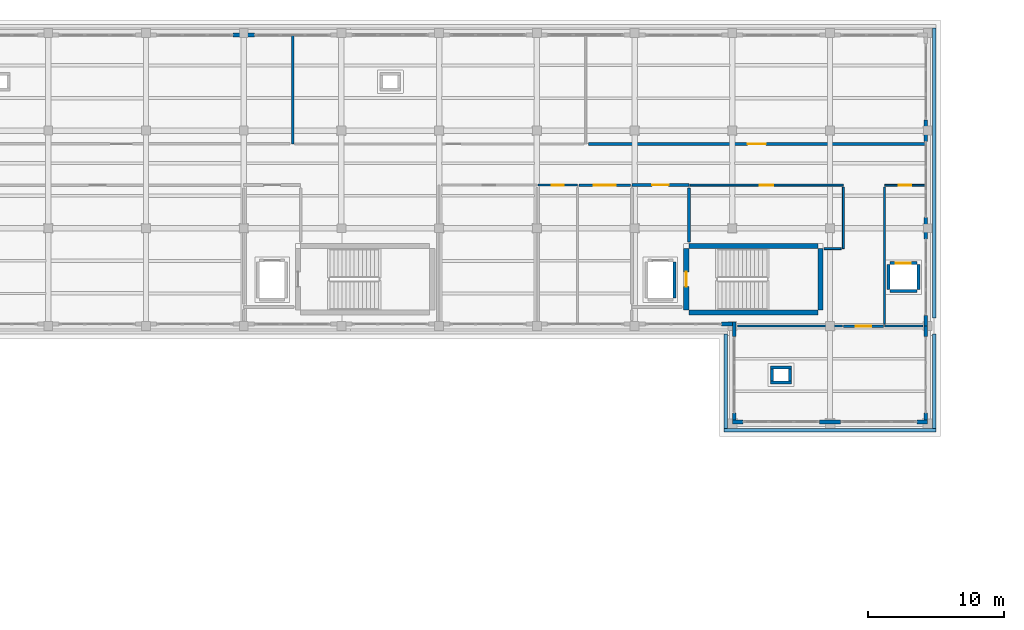
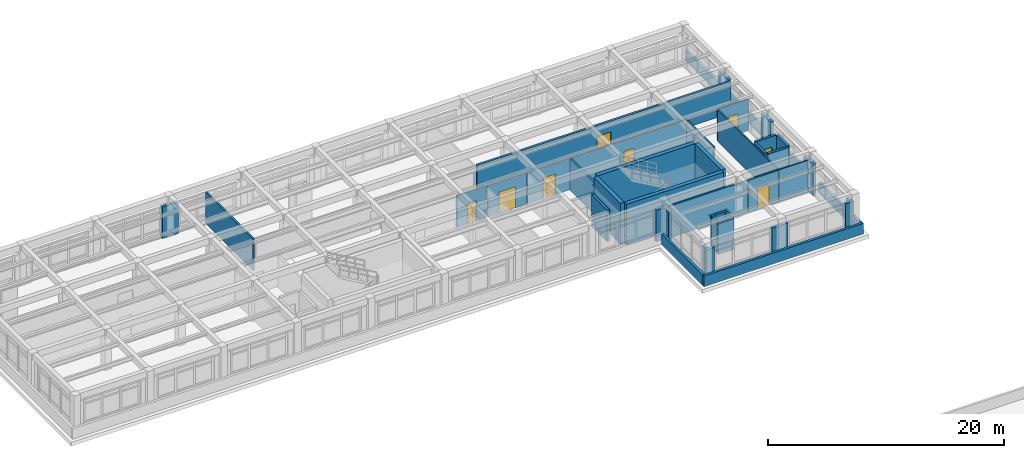
# One storey, part 48 of 55: 43 walls, 9 doors, 9 openings.
"""IFC4 building model written with IfcOpenShell, lengths in metres."""

from ifc_helpers import new_model, si_unit, direction, frame, frame_2d, origin, place, context, subcontext, project, spatial, rectangle, extrude, material, layer, layer_set, type_object, element, fill, save


model = new_model("IFC4")

# Units and contexts
model_context = context("Model", 3, precision=1e-05, world=origin(), true_north=direction((0.0, 1.0)))
body_context = subcontext(model_context, "Body", "Model", "MODEL_VIEW")
ifc_project = project(units=[si_unit("LENGTHUNIT", "METRE"), si_unit("AREAUNIT", "SQUARE_METRE"), si_unit("VOLUMEUNIT", "CUBIC_METRE"), si_unit("PLANEANGLEUNIT", "RADIAN"), si_unit("MASSUNIT", "GRAM", prefix="KILO")], contexts=[model_context])

# Site, building, storey
site_placement = place(None, origin())
site = spatial("IfcSite", under=ifc_project, at=site_placement, CompositionType="ELEMENT")
building_placement = place(site_placement, origin())
building = spatial("IfcBuilding", under=site, at=building_placement, Name="Solenvale Faculty of Natural Sciences", CompositionType="ELEMENT")
storey_placement = place(building_placement, frame((0.0, 0.0, 22.5)))
storey = spatial("IfcBuildingStorey", under=building, at=storey_placement, Name="L05", CompositionType="ELEMENT", Elevation=22.5)

# Walls
ifc_material_1 = material(Name="Precast concrete 40 MPa", Category="concrete")
ifc_layer_1 = layer(ifc_material_1, 0.284912109375)
ifc_layer_set_1 = layer_set([ifc_layer_1], Name="Precast concrete 40 MPa")
wall_type_1 = type_object("IfcWallType", Name="WL-EXT-PRC-285", PredefinedType="STANDARD", material=ifc_layer_set_1)
wall_1_placement = place(storey_placement, frame((151.0576171875, 86.68505859375, 0.0), z_axis=(0.0, 0.0, 1.0), x_axis=(0.0, 1.0, 0.0)))
element("IfcWall", 1, at=wall_1_placement, inside=storey, type_object=wall_type_1, Name="L05 Facade Closure Pier 1.B1-L", PredefinedType="STANDARD", context=body_context, shape_type="SweptSolid", body=[
    extrude(rectangle(XDim=0.5029296875, YDim=0.284912109375, at=frame_2d((0.25146484375, 0.0))), origin(), (0.0, 0.0, 1.0), 3.260009765625),
])
wall_2_placement = place(storey_placement, frame((151.0576171875, 92.81201171875, 0.0), z_axis=(0.0, 0.0, 1.0), x_axis=(0.0, 1.0, 0.0)))
element("IfcWall", 2, at=wall_2_placement, inside=storey, type_object=wall_type_1, Name="L05 Facade Closure Pier 1.B1-R", PredefinedType="STANDARD", context=body_context, shape_type="SweptSolid", body=[
    extrude(rectangle(XDim=0.7880859375, YDim=0.284912109375, at=frame_2d((0.39404296875, 0.0))), origin(), (0.0, 0.0, 1.0), 3.260009765625),
])
wall_3_placement = place(storey_placement, frame((151.0576171875, 93.60009765625, 0.0), z_axis=(0.0, 0.0, 1.0), x_axis=(0.0, 1.0, 0.0)))
element("IfcWall", 3, at=wall_3_placement, inside=storey, type_object=wall_type_1, Name="L05 Facade Closure Pier 2.B1-L", PredefinedType="STANDARD", context=body_context, shape_type="SweptSolid", body=[
    extrude(rectangle(XDim=0.787841796875, YDim=0.284912109375, at=frame_2d((0.39404296875, 0.0))), origin(), (0.0, 0.0, 1.0), 3.260009765625),
])
wall_4_placement = place(storey_placement, frame((151.0576171875, 100.011962890625, 0.0), z_axis=(0.0, 0.0, 1.0), x_axis=(0.0, 1.0, 0.0)))
element("IfcWall", 4, at=wall_4_placement, inside=storey, type_object=wall_type_1, Name="L05 Facade Closure Pier 2.B1-R", PredefinedType="STANDARD", context=body_context, shape_type="SweptSolid", body=[
    extrude(rectangle(XDim=1.575927734375, YDim=0.284912109375, at=frame_2d((0.7880859375, 0.0))), origin(), (0.0, 0.0, 1.0), 3.260009765625),
])
wall_5_placement = place(storey_placement, frame((151.0576171875, 107.2119140625, 0.0), z_axis=(0.0, 0.0, 1.0), x_axis=(0.0, 1.0, 0.0)))
element("IfcWall", 5, at=wall_5_placement, inside=storey, type_object=wall_type_1, Name="L05 Facade Closure Pier 2.B2-R", PredefinedType="STANDARD", context=body_context, shape_type="SweptSolid", body=[
    extrude(rectangle(XDim=1.576171875, YDim=0.284912109375, at=frame_2d((0.7880859375, 0.0))), origin(), (0.0, 0.0, 1.0), 3.260009765625),
])
wall_6_placement = place(storey_placement, frame((101.587890625, 115.0576171875, 0.0), z_axis=(0.0, 0.0, 1.0), x_axis=(-1.0, 0.0, 0.0)))
element("IfcWall", 6, at=wall_6_placement, inside=storey, type_object=wall_type_1, Name="L05 Facade Closure Pier 3.B7-R", PredefinedType="STANDARD", context=body_context, shape_type="SweptSolid", body=[
    extrude(rectangle(XDim=1.575927734375, YDim=0.284912109375, at=frame_2d((0.7880859375, 0.0))), origin(), (0.0, 0.0, 1.0), 3.260009765625),
])
wall_7_placement = place(storey_placement, frame((136.011962890625, 93.742431640625, 0.0), z_axis=(0.0, 0.0, 1.0), x_axis=(1.0, 0.0, 0.0)))
element("IfcWall", 7, at=wall_7_placement, inside=storey, type_object=wall_type_1, Name="L05 Facade Closure Pier 5.B8-R", PredefinedType="STANDARD", context=body_context, shape_type="SweptSolid", body=[
    extrude(rectangle(XDim=0.7880859375, YDim=0.284912109375, at=frame_2d((0.39404296875, 0.0))), origin(), (0.0, 0.0, 1.0), 3.260009765625),
])
wall_8_placement = place(storey_placement, frame((136.9423828125, 93.885009765625, 0.0), z_axis=(0.0, 0.0, 1.0), x_axis=(0.0, -1.0, 0.0)))
element("IfcWall", 8, at=wall_8_placement, inside=storey, type_object=wall_type_1, Name="L05 Facade Closure Pier 6.B1-L", PredefinedType="STANDARD", context=body_context, shape_type="SweptSolid", body=[
    extrude(rectangle(XDim=1.072998046875, YDim=0.284912109375, at=frame_2d((0.53662109375, 0.0))), origin(), (0.0, 0.0, 1.0), 3.260009765625),
])
wall_9_placement = place(storey_placement, frame((136.9423828125, 87.18798828125, 0.0), z_axis=(0.0, 0.0, 1.0), x_axis=(0.0, -1.0, 0.0)))
element("IfcWall", 9, at=wall_9_placement, inside=storey, type_object=wall_type_1, Name="L05 Facade Closure Pier 6.B1-R", PredefinedType="STANDARD", context=body_context, shape_type="SweptSolid", body=[
    extrude(rectangle(XDim=0.5029296875, YDim=0.284912109375, at=frame_2d((0.25146484375, 0.0))), origin(), (0.0, 0.0, 1.0), 3.260009765625),
])
wall_10_placement = place(storey_placement, frame((136.800048828125, 86.54248046875, 0.0), z_axis=(0.0, 0.0, 1.0), x_axis=(1.0, 0.0, 0.0)))
element("IfcWall", 10, at=wall_10_placement, inside=storey, type_object=wall_type_1, Name="L05 Facade Closure Pier 7.B1-L", PredefinedType="STANDARD", context=body_context, shape_type="SweptSolid", body=[
    extrude(rectangle(XDim=0.787841796875, YDim=0.284912109375, at=frame_2d((0.39404296875, 0.0))), origin(), (0.0, 0.0, 1.0), 3.260009765625),
])
wall_11_placement = place(storey_placement, frame((143.2119140625, 86.54248046875, 0.0), z_axis=(0.0, 0.0, 1.0), x_axis=(1.0, 0.0, 0.0)))
element("IfcWall", 11, at=wall_11_placement, inside=storey, type_object=wall_type_1, Name="L05 Facade Closure Pier 7.B1-R", PredefinedType="STANDARD", context=body_context, shape_type="SweptSolid", body=[
    extrude(rectangle(XDim=1.576171875, YDim=0.284912109375, at=frame_2d((0.7880859375, 0.0))), origin(), (0.0, 0.0, 1.0), 3.260009765625),
])
wall_12_placement = place(storey_placement, frame((150.412109375, 86.54248046875, 0.0), z_axis=(0.0, 0.0, 1.0), x_axis=(1.0, 0.0, 0.0)))
element("IfcWall", 12, at=wall_12_placement, inside=storey, type_object=wall_type_1, Name="L05 Facade Closure Pier 7.B2-R", PredefinedType="STANDARD", context=body_context, shape_type="SweptSolid", body=[
    extrude(rectangle(XDim=0.787841796875, YDim=0.284912109375, at=frame_2d((0.39404296875, 0.0))), origin(), (0.0, 0.0, 1.0), 3.260009765625),
])

# Wall, opening, door
ifc_material_2 = material(Name="Gypsum fire-rated shaftwall")
ifc_layer_2 = layer(ifc_material_2, 0.205078125)
ifc_layer_set_2 = layer_set([ifc_layer_2], Name="Gypsum fire-rated shaftwall")
wall_type_2 = type_object("IfcWallType", Name="WL-FFL-205", PredefinedType="PARTITIONING", material=ifc_layer_set_2)
wall_13_placement = place(storey_placement, frame((129.39990234375, 104.0, 0.0), z_axis=(0.0, 0.0, 1.0), x_axis=(1.0, 0.0, 0.0)))
wall_13 = element("IfcWall", 13, at=wall_13_placement, inside=storey, type_object=wall_type_2, Name="L05 Firefighting Lobby C5 Partition 1", PredefinedType="PARTITIONING", context=body_context, shape_type="SweptSolid", body=[
    extrude(rectangle(XDim=4.2001953125, YDim=0.205078125, at=frame_2d((2.10009765625, 0.0))), origin(), (0.0, 0.0, 1.0), 3.260009765625),
])
opening_1_placement = place(wall_13_placement, frame((1.5, 0.0, 0.0)))
opening_1 = element("IfcOpeningElement", 14, at=opening_1_placement, cuts=wall_13, Name="Opening D-L05-02", PredefinedType="OPENING", context=body_context, shape_type="SweptSolid", body=[
    extrude(rectangle(XDim=1.199951171875, YDim=2.14990234375, at=frame_2d((0.60009765625, 1.074951171875))), frame((0.0, 0.112548828125, 0.0), z_axis=(0.0, -1.0, 0.0), x_axis=(1.0, 0.0, 0.0)), (0.0, 0.0, 1.0), 0.22509765625),
])
ifc_material_3 = material(Name="Galvanised steel S355", Category="steel")
door_type_1 = type_object("IfcDoorType", Name="DR-FFL-1200x2150", OperationType="NOTDEFINED", PredefinedType="DOOR", material=ifc_material_3)
door_1_placement = place(opening_1_placement, origin())
door_1 = element("IfcDoor", 15, at=door_1_placement, inside=storey, type_object=door_type_1, Name="L05 Firefighting Lobby C5 Door", OperationType="SINGLE_SWING_RIGHT", OverallHeight=2.14990234375, OverallWidth=1.199951171875, PredefinedType="DOOR", context=body_context, shape_type="SweptSolid", body=[
    extrude(rectangle(XDim=1.199951171875, YDim=2.14990234375, at=frame_2d((0.60009765625, 1.074951171875))), frame((0.0, 0.02490234375, 0.0), z_axis=(0.0, -1.0, 0.0), x_axis=(1.0, 0.0, 0.0)), (0.0, 0.0, 1.0), 0.050048828125),
])
fill(opening_1, door_1)

# Walls
wall_14_placement = place(storey_placement, frame((133.60009765625, 103.782958984375, 0.0), z_axis=(0.0, 0.0, 1.0), x_axis=(0.0, -1.0, 0.0)))
element("IfcWall", 16, at=wall_14_placement, inside=storey, type_object=wall_type_2, Name="L05 Firefighting Lobby C5 Partition 2", PredefinedType="PARTITIONING", context=body_context, shape_type="SweptSolid", body=[
    extrude(rectangle(XDim=3.989013671875, YDim=0.205078125, at=frame_2d((1.99462890625, 0.0))), origin(), (0.0, 0.0, 1.0), 3.260009765625),
])
ifc_material_4 = material(Name="Gypsum fire-rated laboratory partition")
ifc_layer_3 = layer(ifc_material_4, 0.175048828125)
ifc_layer_set_3 = layer_set([ifc_layer_3], Name="Gypsum fire-rated laboratory partition")
wall_type_3 = type_object("IfcWallType", Name="WL-LAB-175", PredefinedType="PARTITIONING", material=ifc_layer_set_3)
wall_15_placement = place(storey_placement, frame((104.39990234375, 115.01708984375, 0.0), z_axis=(0.0, 0.0, 1.0), x_axis=(0.0, -1.0, 0.0)))
element("IfcWall", 17, at=wall_15_placement, inside=storey, type_object=wall_type_3, Name="L05 Plant Physiology Research Laboratory Partition 3", PredefinedType="PARTITIONING", context=body_context, shape_type="SweptSolid", body=[
    extrude(rectangle(XDim=7.9970703125, YDim=0.175048828125, at=frame_2d((3.99853515625, 0.0))), origin(), (0.0, 0.0, 1.0), 3.260009765625),
])

# Wall, opening, door
ifc_layer_4 = layer(ifc_material_4, 0.22802734375)
ifc_layer_set_4 = layer_set([ifc_layer_4], Name="Gypsum fire-rated laboratory partition")
wall_type_4 = type_object("IfcWallType", Name="WL-LAB-228", PredefinedType="PARTITIONING", material=ifc_layer_set_4)
wall_16_placement = place(storey_placement, frame((151.01806640625, 107.02001953125, 0.0), z_axis=(0.0, 0.0, 1.0), x_axis=(-1.0, 0.0, 0.0)))
wall_16 = element("IfcWall", 18, at=wall_16_placement, inside=storey, type_object=wall_type_4, Name="L05 Geochemistry Mass-Spectrometry Laboratory Partition 4", PredefinedType="PARTITIONING", context=body_context, shape_type="SweptSolid", body=[
    extrude(rectangle(XDim=24.826171875, YDim=0.22802734375, at=frame_2d((12.4130859375, 0.0))), origin(), (0.0, 0.0, 1.0), 3.260009765625),
])
opening_2_placement = place(wall_16_placement, frame((11.738037109375, 0.0, 0.0)))
opening_2 = element("IfcOpeningElement", 19, at=opening_2_placement, cuts=wall_16, Name="Opening D-L05-08", PredefinedType="OPENING", context=body_context, shape_type="SweptSolid", body=[
    extrude(rectangle(XDim=1.35009765625, YDim=2.14990234375, at=frame_2d((0.675048828125, 1.074951171875))), frame((0.0, 0.1240234375, 0.0), z_axis=(0.0, -1.0, 0.0), x_axis=(1.0, 0.0, 0.0)), (0.0, 0.0, 1.0), 0.248046875),
])
ifc_material_5 = material(Name="Oak acoustic timber leaf", Category="wood")
door_type_2 = type_object("IfcDoorType", Name="DR-LAB-1350x2150", OperationType="NOTDEFINED", PredefinedType="DOOR", material=ifc_material_5)
door_2_placement = place(opening_2_placement, origin())
door_2 = element("IfcDoor", 20, at=door_2_placement, inside=storey, type_object=door_type_2, Name="L05 Geochemistry Mass-Spectrometry Laboratory Door", OperationType="SINGLE_SWING_RIGHT", OverallHeight=2.14990234375, OverallWidth=1.35009765625, PredefinedType="DOOR", context=body_context, shape_type="SweptSolid", body=[
    extrude(rectangle(XDim=1.35009765625, YDim=2.14990234375, at=frame_2d((0.675048828125, 1.074951171875))), frame((0.0, 0.02490234375, 0.0), z_axis=(0.0, -1.0, 0.0), x_axis=(1.0, 0.0, 0.0)), (0.0, 0.0, 1.0), 0.050048828125),
])
fill(opening_2, door_2)

ifc_material_6 = material(Name="Acoustic stud gypsum partition")
ifc_layer_5 = layer(ifc_material_6, 0.125)
ifc_layer_set_5 = layer_set([ifc_layer_5], Name="Acoustic stud gypsum partition")
wall_type_5 = type_object("IfcWallType", Name="WL-OFF-125", PredefinedType="PARTITIONING", material=ifc_layer_set_5)
wall_17_placement = place(storey_placement, frame((148.02001953125, 103.97998046875, 0.0), z_axis=(0.0, 0.0, 1.0), x_axis=(1.0, 0.0, 0.0)))
wall_17 = element("IfcWall", 21, at=wall_17_placement, inside=storey, type_object=wall_type_5, Name="L05 Elevator Lobby Partition 1", PredefinedType="PARTITIONING", context=body_context, shape_type="SweptSolid", body=[
    extrude(rectangle(XDim=2.998046875, YDim=0.125, at=frame_2d((1.4990234375, 0.0))), origin(), (0.0, 0.0, 1.0), 3.260009765625),
])
opening_3_placement = place(wall_17_placement, frame((1.029052734375, 0.0, 0.0)))
opening_3 = element("IfcOpeningElement", 22, at=opening_3_placement, cuts=wall_17, Name="Opening D-L05-14", PredefinedType="OPENING", context=body_context, shape_type="SweptSolid", body=[
    extrude(rectangle(XDim=0.93994140625, YDim=2.10009765625, at=frame_2d((0.469970703125, 1.050048828125))), frame((0.0, 0.072509765625, 0.0), z_axis=(0.0, -1.0, 0.0), x_axis=(1.0, 0.0, 0.0)), (0.0, 0.0, 1.0), 0.14501953125),
])
door_type_3 = type_object("IfcDoorType", Name="DR-OFF-0940x2100", OperationType="NOTDEFINED", PredefinedType="DOOR", material=ifc_material_5)
door_3_placement = place(opening_3_placement, origin())
door_3 = element("IfcDoor", 23, at=door_3_placement, inside=storey, type_object=door_type_3, Name="L05 Elevator Lobby Door", OperationType="SINGLE_SWING_RIGHT", OverallHeight=2.10009765625, OverallWidth=0.93994140625, PredefinedType="DOOR", context=body_context, shape_type="SweptSolid", body=[
    extrude(rectangle(XDim=0.93994140625, YDim=2.10009765625, at=frame_2d((0.469970703125, 1.050048828125))), frame((0.0, 0.02490234375, 0.0), z_axis=(0.0, -1.0, 0.0), x_axis=(1.0, 0.0, 0.0)), (0.0, 0.0, 1.0), 0.050048828125),
])
fill(opening_3, door_3)

# Walls
wall_18_placement = place(storey_placement, frame((150.840087890625, 93.60009765625, 0.0), z_axis=(0.0, 0.0, 1.0), x_axis=(-1.0, 0.0, 0.0)))
element("IfcWall", 24, at=wall_18_placement, inside=storey, type_object=wall_type_5, Name="L05 Elevator Lobby Partition 3", PredefinedType="PARTITIONING", context=body_context, shape_type="SweptSolid", body=[
    extrude(rectangle(XDim=2.820068359375, YDim=0.125, at=frame_2d((1.41015625, 0.0))), origin(), (0.0, 0.0, 1.0), 3.260009765625),
])
wall_19_placement = place(storey_placement, frame((148.02001953125, 93.737060546875, 0.0), z_axis=(0.0, 0.0, 1.0), x_axis=(0.0, 1.0, 0.0)))
element("IfcWall", 25, at=wall_19_placement, inside=storey, type_object=wall_type_5, Name="L05 Elevator Lobby Partition 4", PredefinedType="PARTITIONING", context=body_context, shape_type="SweptSolid", body=[
    extrude(rectangle(XDim=10.10595703125, YDim=0.125, at=frame_2d((5.052978515625, 0.0))), origin(), (0.0, 0.0, 1.0), 3.260009765625),
])

# Wall, opening, door
ifc_layer_6 = layer(ifc_material_6, 0.139892578125)
ifc_layer_set_6 = layer_set([ifc_layer_6], Name="Acoustic stud gypsum partition")
wall_type_6 = type_object("IfcWallType", Name="WL-OFF-140", PredefinedType="PARTITIONING", material=ifc_layer_set_6)
wall_20_placement = place(storey_placement, frame((133.681884765625, 103.97998046875, 0.0), z_axis=(0.0, 0.0, 1.0), x_axis=(1.0, 0.0, 0.0)))
wall_20 = element("IfcWall", 26, at=wall_20_placement, inside=storey, type_object=wall_type_6, Name="L05 Building Electrical and Telecom Closet Partition 18", PredefinedType="PARTITIONING", context=body_context, shape_type="SweptSolid", body=[
    extrude(rectangle(XDim=11.298095703125, YDim=0.139892578125, at=frame_2d((5.64892578125, 0.0))), origin(), (0.0, 0.0, 1.0), 3.260009765625),
])
opening_4_placement = place(wall_20_placement, frame((5.158935546875, 0.0, 0.0)))
opening_4 = element("IfcOpeningElement", 27, at=opening_4_placement, cuts=wall_20, Name="Opening D-L05-13", PredefinedType="OPENING", context=body_context, shape_type="SweptSolid", body=[
    extrude(rectangle(XDim=0.97998046875, YDim=2.10009765625, at=frame_2d((0.489990234375, 1.050048828125))), frame((0.0, 0.079833984375, 0.0), z_axis=(0.0, -1.0, 0.0), x_axis=(1.0, 0.0, 0.0)), (0.0, 0.0, 1.0), 0.159912109375),
])
door_type_4 = type_object("IfcDoorType", Name="DR-OFF-0980x2100", OperationType="NOTDEFINED", PredefinedType="DOOR", material=ifc_material_5)
door_4_placement = place(opening_4_placement, origin())
door_4 = element("IfcDoor", 28, at=door_4_placement, inside=storey, type_object=door_type_4, Name="L05 Building Electrical and Telecom Closet Door", OperationType="SINGLE_SWING_LEFT", OverallHeight=2.10009765625, OverallWidth=0.97998046875, PredefinedType="DOOR", context=body_context, shape_type="SweptSolid", body=[
    extrude(rectangle(XDim=0.97998046875, YDim=2.10009765625, at=frame_2d((0.489990234375, 1.050048828125))), frame((0.0, 0.02490234375, 0.0), z_axis=(0.0, -1.0, 0.0), x_axis=(1.0, 0.0, 0.0)), (0.0, 0.0, 1.0), 0.050048828125),
])
fill(opening_4, door_4)

# Walls
wall_21_placement = place(storey_placement, frame((144.97998046875, 103.827880859375, 0.0), z_axis=(0.0, 0.0, 1.0), x_axis=(0.0, -1.0, 0.0)))
element("IfcWall", 29, at=wall_21_placement, inside=storey, type_object=wall_type_6, Name="L05 Building Electrical and Telecom Closet Partition 19", PredefinedType="PARTITIONING", context=body_context, shape_type="SweptSolid", body=[
    extrude(rectangle(XDim=4.52783203125, YDim=0.139892578125, at=frame_2d((2.263916015625, 0.0))), origin(), (0.0, 0.0, 1.0), 3.260009765625),
])
wall_22_placement = place(storey_placement, frame((144.827880859375, 99.300048828125, 0.0), z_axis=(0.0, 0.0, 1.0), x_axis=(-1.0, 0.0, 0.0)))
element("IfcWall", 30, at=wall_22_placement, inside=storey, type_object=wall_type_6, Name="L05 Building Electrical and Telecom Closet Partition 20", PredefinedType="PARTITIONING", context=body_context, shape_type="SweptSolid", body=[
    extrude(rectangle(XDim=1.265869140625, YDim=0.139892578125, at=frame_2d((0.6328125, 0.0))), origin(), (0.0, 0.0, 1.0), 3.260009765625),
])
ifc_material_7 = material(Name="Architectural bronze concrete 40 MPa", Category="concrete")
ifc_layer_7 = layer(ifc_material_7, 0.239990234375)
ifc_layer_set_7 = layer_set([ifc_layer_7], Name="Architectural bronze concrete 40 MPa")
wall_type_7 = type_object("IfcWallType", Name="WL-PAR-BRZ-240", PredefinedType="PARAPET", material=ifc_layer_set_7)
wall_23_placement = place(storey_placement, frame((151.679931640625, 115.56005859375, 0.0), z_axis=(0.0, 0.0, 1.0), x_axis=(0.0, -1.0, 0.0)))
element("IfcWall", 31, at=wall_23_placement, inside=storey, type_object=wall_type_7, Name="L05 Tower Horizontal Concrete Band 5", PredefinedType="PARAPET", context=body_context, shape_type="SweptSolid", body=[
    extrude(rectangle(XDim=21.360107421875, YDim=0.239990234375, at=frame_2d((10.68017578125, 0.0))), origin(), (0.0, 0.0, 1.0), 1.1201171875),
])
wall_24_placement = place(storey_placement, frame((151.679931640625, 93.0, 0.0), z_axis=(0.0, 0.0, 1.0), x_axis=(0.0, -1.0, 0.0)))
element("IfcWall", 32, at=wall_24_placement, inside=storey, type_object=wall_type_7, Name="L05 Tower Horizontal Concrete Band 6", PredefinedType="PARAPET", context=body_context, shape_type="SweptSolid", body=[
    extrude(rectangle(XDim=6.9599609375, YDim=0.239990234375, at=frame_2d((3.47998046875, 0.0))), origin(), (0.0, 0.0, 1.0), 1.1201171875),
])
wall_25_placement = place(storey_placement, frame((151.800048828125, 85.919921875, 0.0), z_axis=(0.0, 0.0, 1.0), x_axis=(-1.0, 0.0, 0.0)))
element("IfcWall", 33, at=wall_25_placement, inside=storey, type_object=wall_type_7, Name="L05 Tower Horizontal Concrete Band 7", PredefinedType="PARAPET", context=body_context, shape_type="SweptSolid", body=[
    extrude(rectangle(XDim=15.60009765625, YDim=0.239990234375, at=frame_2d((7.800048828125, 0.0))), origin(), (0.0, 0.0, 1.0), 1.1201171875),
])
wall_26_placement = place(storey_placement, frame((136.320068359375, 86.0400390625, 0.0), z_axis=(0.0, 0.0, 1.0), x_axis=(0.0, 1.0, 0.0)))
element("IfcWall", 34, at=wall_26_placement, inside=storey, type_object=wall_type_7, Name="L05 Tower Horizontal Concrete Band 8", PredefinedType="PARAPET", context=body_context, shape_type="SweptSolid", body=[
    extrude(rectangle(XDim=6.9599609375, YDim=0.239990234375, at=frame_2d((3.47998046875, 0.0))), origin(), (0.0, 0.0, 1.0), 1.1201171875),
])

# Wall, opening, door
ifc_material_8 = material(Name="Acoustic double-stud gypsum partition")
ifc_layer_8 = layer(ifc_material_8, 0.169921875)
ifc_layer_set_8 = layer_set([ifc_layer_8], Name="Acoustic double-stud gypsum partition")
wall_type_8 = type_object("IfcWallType", Name="WL-SEM-170", PredefinedType="PARTITIONING", material=ifc_layer_set_8)
wall_27_placement = place(storey_placement, frame((145.0, 93.580078125, 0.0), z_axis=(0.0, 0.0, 1.0), x_axis=(1.0, 0.0, 0.0)))
wall_27 = element("IfcWall", 35, at=wall_27_placement, inside=storey, type_object=wall_type_8, Name="L05 Seminar Room Partition 16", PredefinedType="PARTITIONING", context=body_context, shape_type="SweptSolid", body=[
    extrude(rectangle(XDim=2.923095703125, YDim=0.169921875, at=frame_2d((1.46142578125, 0.0))), origin(), (0.0, 0.0, 1.0), 3.260009765625),
])
opening_5_placement = place(wall_27_placement, frame((0.902099609375, 0.0, 0.0)))
opening_5 = element("IfcOpeningElement", 36, at=opening_5_placement, cuts=wall_27, Name="Opening D-L05-15", PredefinedType="OPENING", context=body_context, shape_type="SweptSolid", body=[
    extrude(rectangle(XDim=1.1201171875, YDim=2.14990234375, at=frame_2d((0.56005859375, 1.074951171875))), frame((0.0, 0.094970703125, 0.0), z_axis=(0.0, -1.0, 0.0), x_axis=(1.0, 0.0, 0.0)), (0.0, 0.0, 1.0), 0.18994140625),
])
door_type_5 = type_object("IfcDoorType", Name="DR-SEM-1120x2150", OperationType="NOTDEFINED", PredefinedType="DOOR", material=ifc_material_5)
door_5_placement = place(opening_5_placement, origin())
door_5 = element("IfcDoor", 37, at=door_5_placement, inside=storey, type_object=door_type_5, Name="L05 Seminar Room Door", OperationType="SINGLE_SWING_LEFT", OverallHeight=2.14990234375, OverallWidth=1.1201171875, PredefinedType="DOOR", context=body_context, shape_type="SweptSolid", body=[
    extrude(rectangle(XDim=1.1201171875, YDim=2.14990234375, at=frame_2d((0.56005859375, 1.074951171875))), frame((0.0, 0.02490234375, 0.0), z_axis=(0.0, -1.0, 0.0), x_axis=(1.0, 0.0, 0.0)), (0.0, 0.0, 1.0), 0.050048828125),
])
fill(opening_5, door_5)

# Walls
wall_28_placement = place(storey_placement, frame((137.181884765625, 93.60009765625, 0.0), z_axis=(0.0, 0.0, 1.0), x_axis=(1.0, 0.0, 0.0)))
element("IfcWall", 38, at=wall_28_placement, inside=storey, type_object=wall_type_8, Name="L05 Seminar Room Partition 33", PredefinedType="PARTITIONING", context=body_context, shape_type="SweptSolid", body=[
    extrude(rectangle(XDim=7.72119140625, YDim=0.169921875, at=frame_2d((3.860595703125, 0.0))), origin(), (0.0, 0.0, 1.0), 3.260009765625),
])
ifc_material_9 = material(Name="Concrete 40 MPa", Category="concrete")
ifc_layer_9 = layer(ifc_material_9, 0.219970703125)
ifc_layer_set_9 = layer_set([ifc_layer_9], Name="Concrete 40 MPa")
wall_type_9 = type_object("IfcWallType", Name="WL-SHF-220", PredefinedType="STANDARD", material=ifc_layer_set_9)
wall_29_placement = place(storey_placement, frame((132.530029296875, 95.679931640625, 0.0), z_axis=(0.0, 0.0, 1.0), x_axis=(0.0, 1.0, 0.0)))
element("IfcWall", 39, at=wall_29_placement, inside=storey, type_object=wall_type_9, Name="Elevator LF-02 L05 Shaft Wall E", PredefinedType="STANDARD", context=body_context, shape_type="SweptSolid", body=[
    extrude(rectangle(XDim=2.64013671875, YDim=0.219970703125, at=frame_2d((1.320068359375, 0.0))), origin(), (0.0, 0.0, 1.0), 3.260009765625),
])
wall_30_placement = place(storey_placement, frame((148.405029296875, 96.169921875, 0.0), z_axis=(0.0, 0.0, 1.0), x_axis=(1.0, 0.0, 0.0)))
element("IfcWall", 40, at=wall_30_placement, inside=storey, type_object=wall_type_9, Name="Elevator LP-03 L05 Shaft Wall S", PredefinedType="STANDARD", context=body_context, shape_type="SweptSolid", body=[
    extrude(rectangle(XDim=1.989990234375, YDim=0.219970703125, at=frame_2d((0.9951171875, 0.0))), origin(), (0.0, 0.0, 1.0), 3.260009765625),
])

# Wall, opening, door
wall_31_placement = place(storey_placement, frame((148.405029296875, 98.22998046875, 0.0), z_axis=(0.0, 0.0, 1.0), x_axis=(1.0, 0.0, 0.0)))
wall_31 = element("IfcWall", 41, at=wall_31_placement, inside=storey, type_object=wall_type_9, Name="Elevator LP-03 L05 Shaft Wall N", PredefinedType="STANDARD", context=body_context, shape_type="SweptSolid", body=[
    extrude(rectangle(XDim=1.989990234375, YDim=0.219970703125, at=frame_2d((0.9951171875, 0.0))), origin(), (0.0, 0.0, 1.0), 3.260009765625),
])
opening_6_placement = place(wall_31_placement, frame((0.445068359375, 0.0, 0.0)))
opening_6 = element("IfcOpeningElement", 42, at=opening_6_placement, cuts=wall_31, Name="Opening LD-LP-03-L05", PredefinedType="OPENING", context=body_context, shape_type="SweptSolid", body=[
    extrude(rectangle(XDim=1.10009765625, YDim=2.14990234375, at=frame_2d((0.550048828125, 1.074951171875))), frame((0.0, 0.119873046875, 0.0), z_axis=(0.0, -1.0, 0.0), x_axis=(1.0, 0.0, 0.0)), (0.0, 0.0, 1.0), 0.239990234375),
])
ifc_material_10 = material(Name="Stainless steel Grade 304", Category="steel")
door_type_6 = type_object("IfcDoorType", Name="DR-LIFT-1100x2150", OperationType="NOTDEFINED", PredefinedType="DOOR", material=ifc_material_10)
door_6_placement = place(opening_6_placement, origin())
door_6 = element("IfcDoor", 43, at=door_6_placement, inside=storey, type_object=door_type_6, Name="Elevator LP-03 L05 Sliding Landing Door", OperationType="SLIDING_TO_RIGHT", OverallHeight=2.14990234375, OverallWidth=1.10009765625, PredefinedType="DOOR", context=body_context, shape_type="SweptSolid", body=[
    extrude(rectangle(XDim=1.10009765625, YDim=2.14990234375, at=frame_2d((0.550048828125, 1.074951171875))), frame((0.0, 0.02490234375, 0.0), z_axis=(0.0, -1.0, 0.0), x_axis=(1.0, 0.0, 0.0)), (0.0, 0.0, 1.0), 0.050048828125),
])
fill(opening_6, door_6)

# Walls
for number, where, z_axis, x_axis, name in (
    (44, (148.294921875, 96.280029296875, 0.0), (0.0, 0.0, 1.0), (0.0, 1.0, 0.0), "Elevator LP-03 L05 Shaft Wall W"),
    (45, (150.5048828125, 96.280029296875, 0.0), (0.0, 0.0, 1.0), (0.0, 1.0, 0.0), "Elevator LP-03 L05 Shaft Wall E"),
):
    element("IfcWall", number, at=place(storey_placement, frame(where, z_axis=z_axis, x_axis=x_axis)), inside=storey, type_object=wall_type_9, Name=name, PredefinedType="STANDARD", context=body_context, shape_type="SweptSolid", body=[
        extrude(rectangle(XDim=1.840087890625, YDim=0.219970703125, at=frame_2d((0.919921875, 0.0))), origin(), (0.0, 0.0, 1.0), 3.260009765625),
    ])
for number, where, z_axis, x_axis, name in (
    (46, (139.6298828125, 89.43994140625, 0.0), (0.0, 0.0, 1.0), (1.0, 0.0, 0.0), "L05 Service Riser Shaft 5 Wall S"),
    (47, (139.6298828125, 90.56005859375, 0.0), (0.0, 0.0, 1.0), (1.0, 0.0, 0.0), "L05 Service Riser Shaft 5 Wall N"),
):
    element("IfcWall", number, at=place(storey_placement, frame(where, z_axis=z_axis, x_axis=x_axis)), inside=storey, type_object=wall_type_9, Name=name, PredefinedType="STANDARD", context=body_context, shape_type="SweptSolid", body=[
        extrude(rectangle(XDim=1.5400390625, YDim=0.219970703125, at=frame_2d((0.77001953125, 0.0))), origin(), (0.0, 0.0, 1.0), 3.260009765625),
    ])
for number, where, z_axis, x_axis, name in (
    (48, (139.739990234375, 89.550048828125, 0.0), (0.0, 0.0, 1.0), (0.0, 1.0, 0.0), "L05 Service Riser Shaft 5 Wall W"),
    (49, (141.06005859375, 89.550048828125, 0.0), (0.0, 0.0, 1.0), (0.0, 1.0, 0.0), "L05 Service Riser Shaft 5 Wall E"),
):
    element("IfcWall", number, at=place(storey_placement, frame(where, z_axis=z_axis, x_axis=x_axis)), inside=storey, type_object=wall_type_9, Name=name, PredefinedType="STANDARD", context=body_context, shape_type="SweptSolid", body=[
        extrude(rectangle(XDim=0.89990234375, YDim=0.219970703125, at=frame_2d((0.449951171875, 0.0))), origin(), (0.0, 0.0, 1.0), 3.260009765625),
    ])
ifc_material_11 = material(Name="Concrete 50 MPa", Category="concrete")
ifc_layer_10 = layer(ifc_material_11, 0.3798828125)
ifc_layer_set_10 = layer_set([ifc_layer_10], Name="Concrete 50 MPa")
wall_type_10 = type_object("IfcWallType", Name="WL-SHR-380", PredefinedType="SHEAR", material=ifc_layer_set_10)
for number, where, z_axis, x_axis, name in (
    (50, (133.60009765625, 94.610107421875, 0.0), (0.0, 0.0, 1.0), (1.0, 0.0, 0.0), "Core C5 L05 Shear Wall S"),
    (51, (133.60009765625, 99.489990234375, 0.0), (0.0, 0.0, 1.0), (1.0, 0.0, 0.0), "Core C5 L05 Shear Wall N"),
):
    element("IfcWall", number, at=place(storey_placement, frame(where, z_axis=z_axis, x_axis=x_axis)), inside=storey, type_object=wall_type_10, Name=name, PredefinedType="SHEAR", context=body_context, shape_type="SweptSolid", body=[
        extrude(rectangle(XDim=9.5, YDim=0.3798828125, at=frame_2d((4.75, 0.0))), origin(), (0.0, 0.0, 1.0), 4.219970703125),
    ])

# Wall, opening, door
wall_32_placement = place(storey_placement, frame((133.409912109375, 94.800048828125, 0.0), z_axis=(0.0, 0.0, 1.0), x_axis=(0.0, 1.0, 0.0)))
wall_32 = element("IfcWall", 52, at=wall_32_placement, inside=storey, type_object=wall_type_10, Name="Core C5 L05 Shear Wall W", PredefinedType="SHEAR", context=body_context, shape_type="SweptSolid", body=[
    extrude(rectangle(XDim=4.5, YDim=0.3798828125, at=frame_2d((2.25, 0.0))), origin(), (0.0, 0.0, 1.0), 4.219970703125),
])
opening_7_placement = place(wall_32_placement, frame((1.699951171875, 0.0, 0.0)))
opening_7 = element("IfcOpeningElement", 53, at=opening_7_placement, cuts=wall_32, Name="Opening DS-C5-L05", PredefinedType="OPENING", context=body_context, shape_type="SweptSolid", body=[
    extrude(rectangle(XDim=1.10009765625, YDim=2.14990234375, at=frame_2d((0.550048828125, 1.074951171875))), frame((0.0, 0.199951171875, 0.0), z_axis=(0.0, -1.0, 0.0), x_axis=(1.0, 0.0, 0.0)), (0.0, 0.0, 1.0), 0.39990234375),
])
door_type_7 = type_object("IfcDoorType", Name="DR-STAIR-1100x2150", OperationType="NOTDEFINED", PredefinedType="DOOR", material=ifc_material_3)
door_7_placement = place(opening_7_placement, origin())
door_7 = element("IfcDoor", 54, at=door_7_placement, inside=storey, type_object=door_type_7, Name="L05 Stair ST-05 Fire Door", OperationType="SINGLE_SWING_RIGHT", OverallHeight=2.14990234375, OverallWidth=1.10009765625, PredefinedType="DOOR", context=body_context, shape_type="SweptSolid", body=[
    extrude(rectangle(XDim=1.10009765625, YDim=2.14990234375, at=frame_2d((0.550048828125, 1.074951171875))), frame((0.0, 0.02490234375, 0.0), z_axis=(0.0, -1.0, 0.0), x_axis=(1.0, 0.0, 0.0)), (0.0, 0.0, 1.0), 0.050048828125),
])
fill(opening_7, door_7)

# Wall
wall_33_placement = place(storey_placement, frame((143.2900390625, 94.800048828125, 0.0), z_axis=(0.0, 0.0, 1.0), x_axis=(0.0, 1.0, 0.0)))
element("IfcWall", 55, at=wall_33_placement, inside=storey, type_object=wall_type_10, Name="Core C5 L05 Shear Wall E", PredefinedType="SHEAR", context=body_context, shape_type="SweptSolid", body=[
    extrude(rectangle(XDim=4.5, YDim=0.3798828125, at=frame_2d((2.25, 0.0))), origin(), (0.0, 0.0, 1.0), 4.219970703125),
])

# Wall, opening, door
ifc_material_12 = material(Name="Concrete masonry 20 MPa", Category="masonry")
ifc_layer_11 = layer(ifc_material_12, 0.195068359375)
ifc_layer_set_11 = layer_set([ifc_layer_11], Name="Concrete masonry 20 MPa")
wall_type_11 = type_object("IfcWallType", Name="WL-STR-195", PredefinedType="PARTITIONING", material=ifc_layer_set_11)
wall_34_placement = place(storey_placement, frame((125.510009765625, 103.97998046875, 0.0), z_axis=(0.0, 0.0, 1.0), x_axis=(1.0, 0.0, 0.0)))
wall_34 = element("IfcWall", 56, at=wall_34_placement, inside=storey, type_object=wall_type_11, Name="L05 Specimen Cold Store Partition 2", PredefinedType="PARTITIONING", context=body_context, shape_type="SweptSolid", body=[
    extrude(rectangle(XDim=3.781005859375, YDim=0.195068359375, at=frame_2d((1.890625, 0.0))), origin(), (0.0, 0.0, 1.0), 3.260009765625),
])
opening_8_placement = place(wall_34_placement, frame((1.06494140625, 0.0, 0.0)))
opening_8 = element("IfcOpeningElement", 57, at=opening_8_placement, cuts=wall_34, Name="Opening D-L05-12", PredefinedType="OPENING", context=body_context, shape_type="SweptSolid", body=[
    extrude(rectangle(XDim=1.64990234375, YDim=2.199951171875, at=frame_2d((0.824951171875, 1.10009765625))), frame((0.0, 0.107421875, 0.0), z_axis=(0.0, -1.0, 0.0), x_axis=(1.0, 0.0, 0.0)), (0.0, 0.0, 1.0), 0.215087890625),
])
door_type_8 = type_object("IfcDoorType", Name="DR-PLT-1650x2200", OperationType="NOTDEFINED", PredefinedType="DOOR", material=ifc_material_3)
door_8_placement = place(opening_8_placement, origin())
door_8 = element("IfcDoor", 58, at=door_8_placement, inside=storey, type_object=door_type_8, Name="L05 Specimen Cold Store Door", OperationType="SINGLE_SWING_RIGHT", OverallHeight=2.199951171875, OverallWidth=1.64990234375, PredefinedType="DOOR", context=body_context, shape_type="SweptSolid", body=[
    extrude(rectangle(XDim=1.64990234375, YDim=2.199951171875, at=frame_2d((0.824951171875, 1.10009765625))), frame((0.0, 0.02490234375, 0.0), z_axis=(0.0, -1.0, 0.0), x_axis=(1.0, 0.0, 0.0)), (0.0, 0.0, 1.0), 0.050048828125),
])
fill(opening_8, door_8)

ifc_material_13 = material(Name="Moisture-resistant tile partition")
ifc_layer_12 = layer(ifc_material_13, 0.14990234375)
ifc_layer_set_12 = layer_set([ifc_layer_12], Name="Moisture-resistant tile partition")
wall_type_12 = type_object("IfcWallType", Name="WL-WC-150", PredefinedType="PARTITIONING", material=ifc_layer_set_12)
wall_35_placement = place(storey_placement, frame((122.487060546875, 103.97998046875, 0.0), z_axis=(0.0, 0.0, 1.0), x_axis=(1.0, 0.0, 0.0)))
wall_35 = element("IfcWall", 59, at=wall_35_placement, inside=storey, type_object=wall_type_12, Name="L05 Accessible Washroom Partition 2", PredefinedType="PARTITIONING", context=body_context, shape_type="SweptSolid", body=[
    extrude(rectangle(XDim=2.912841796875, YDim=0.14990234375, at=frame_2d((1.45654296875, 0.0))), origin(), (0.0, 0.0, 1.0), 3.260009765625),
])
opening_9_placement = place(wall_35_placement, frame((1.01708984375, 0.0, 0.0)))
opening_9 = element("IfcOpeningElement", 60, at=opening_9_placement, cuts=wall_35, Name="Opening D-L05-11", PredefinedType="OPENING", context=body_context, shape_type="SweptSolid", body=[
    extrude(rectangle(XDim=0.8798828125, YDim=2.10009765625, at=frame_2d((0.43994140625, 1.050048828125))), frame((0.0, 0.0849609375, 0.0), z_axis=(0.0, -1.0, 0.0), x_axis=(1.0, 0.0, 0.0)), (0.0, 0.0, 1.0), 0.169921875),
])
door_type_9 = type_object("IfcDoorType", Name="DR-WC-0880x2100", OperationType="NOTDEFINED", PredefinedType="DOOR", material=ifc_material_5)
door_9_placement = place(opening_9_placement, origin())
door_9 = element("IfcDoor", 61, at=door_9_placement, inside=storey, type_object=door_type_9, Name="L05 Accessible Washroom Door", OperationType="SINGLE_SWING_LEFT", OverallHeight=2.10009765625, OverallWidth=0.8798828125, PredefinedType="DOOR", context=body_context, shape_type="SweptSolid", body=[
    extrude(rectangle(XDim=0.8798828125, YDim=2.10009765625, at=frame_2d((0.43994140625, 1.050048828125))), frame((0.0, 0.02490234375, 0.0), z_axis=(0.0, -1.0, 0.0), x_axis=(1.0, 0.0, 0.0)), (0.0, 0.0, 1.0), 0.050048828125),
])
fill(opening_9, door_9)

save(model, "model.ifc")
